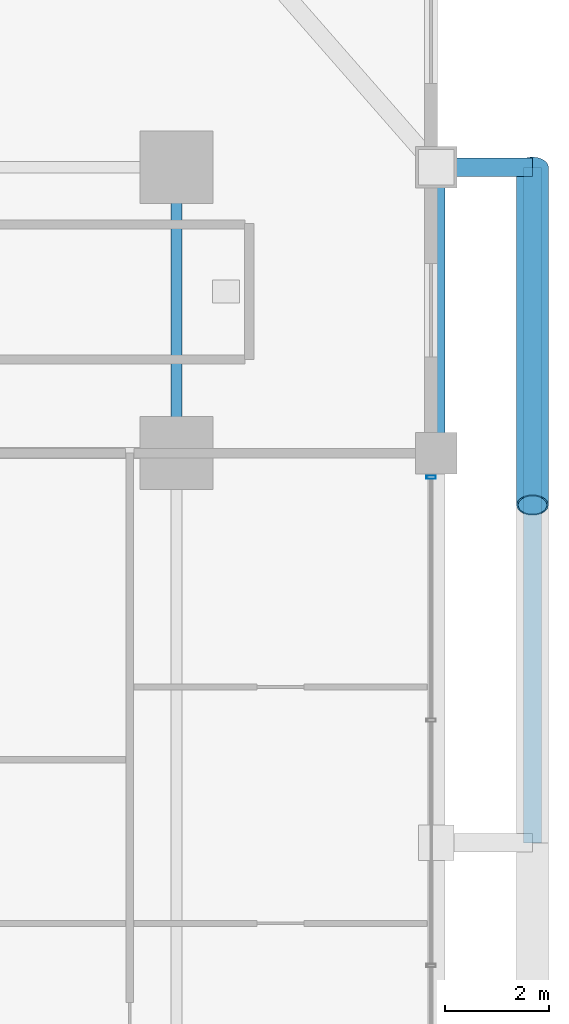
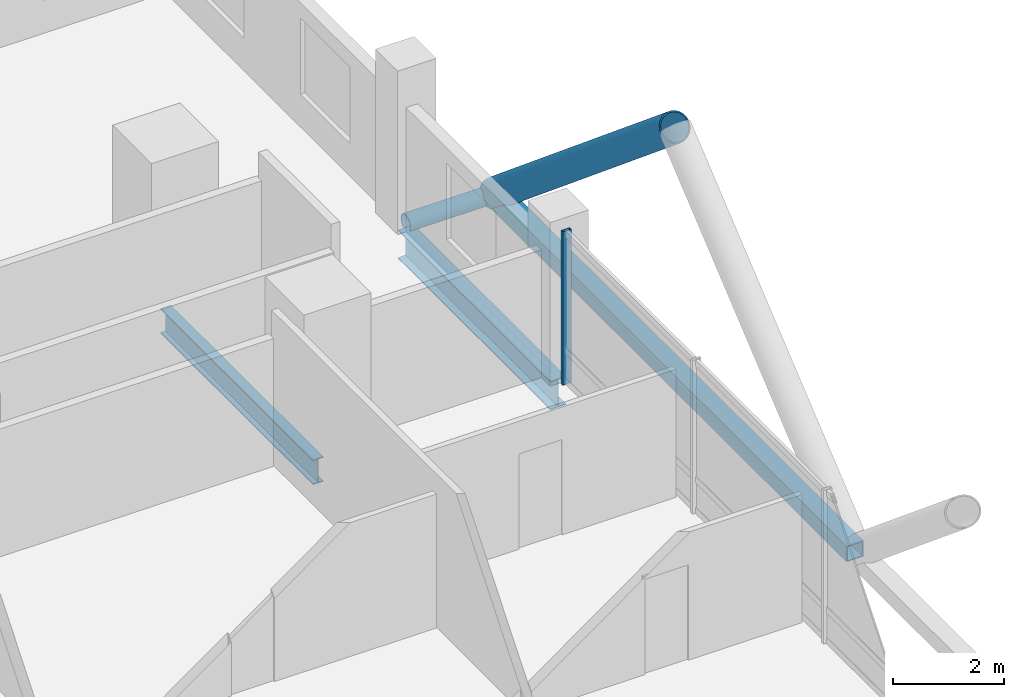
# One storey, part 19 of 27: 4 members, 2 beams, 1 element without a shape of its own.
"""IFC4 building model written with IfcOpenShell, lengths in metres."""

from ifc_helpers import new_model, si_unit, direction, frame, origin, origin_2d, place, context, subcontext, project, spatial, hollow_rectangle, hollow_circle, i_section, extrude, material, layer, layer_set, material_profile, profile_set, type_object, element, aggregate, save


model = new_model("IFC4")

# Units and contexts
model_context = context("Model", 3, precision=1e-05, world=origin(), true_north=direction((0.0, 1.0)))
body_context = subcontext(model_context, "Body", "Model", "MODEL_VIEW")
ifc_project = project(units=[si_unit("LENGTHUNIT", "METRE"), si_unit("AREAUNIT", "SQUARE_METRE"), si_unit("VOLUMEUNIT", "CUBIC_METRE"), si_unit("PLANEANGLEUNIT", "RADIAN"), si_unit("MASSUNIT", "GRAM", prefix="KILO")], contexts=[model_context])

# Site, building, storey
site_placement = place(None, origin())
site = spatial("IfcSite", under=ifc_project, at=site_placement, CompositionType="ELEMENT")
building_placement = place(site_placement, origin())
building = spatial("IfcBuilding", under=site, at=building_placement, Name="Barlavira Tower and Art Museum", CompositionType="ELEMENT")
storey_placement = place(building_placement, frame((0.0, 0.0, 50.39990234375)))
storey = spatial("IfcBuildingStorey", under=building, at=storey_placement, Name="L11", CompositionType="ELEMENT", Elevation=50.39990234375)

# Curtain wall, member
ifc_material_1 = material(Name="Low-iron coastal laminated glass", Category="glass")
ifc_layer = layer(ifc_material_1, 0.179931640625, Name="Low-iron coastal laminated glass")
ifc_layer_set = layer_set([ifc_layer], Name="Low-iron coastal laminated glass")
curtain_wall_type = type_object("IfcCurtainWallType", Name="Pale-Metal Unitised Curtain Wall Zone 1", PredefinedType="NOTDEFINED", material=ifc_layer_set)
curtain_wall_placement = place(storey_placement, origin())
curtain_wall = element("IfcCurtainWall", 1, at=curtain_wall_placement, inside=storey, type_object=curtain_wall_type, Name="L11 Curtain Wall CW1-L11-E-B3", PredefinedType="NOTDEFINED")
ifc_material_2 = material(Name="Pale anodised aluminium", Category="aluminium")
ifc_material_profile_1 = material_profile(ifc_material_2, hollow_rectangle(XDim=0.06494140625, YDim=0.179931640625, WallThickness=0.00390625, at=origin_2d()), Name="ALU-MULL 65x180x4")
ifc_profile_set_1 = profile_set([ifc_material_profile_1], Name="Pale anodised aluminium")
member_type_1 = type_object("IfcMemberType", Name="Curtain Wall Pale-Metal Mullion 65x180", PredefinedType="MULLION", material=ifc_profile_set_1)
member_1_placement = place(storey_placement, frame((21.89990234375, 7.034912109375, 0.0), z_axis=(0.0, 0.0, 1.0), x_axis=(0.0, 1.0, 0.0)))
member_1 = element("IfcMember", 2, at=member_1_placement, type_object=member_type_1, Name="CW1-L11-E-B3 Mullion 3", PredefinedType="MULLION", context=body_context, shape_type="SweptSolid", body=[
    extrude(hollow_rectangle(XDim=0.06494140625, YDim=0.179931640625, WallThickness=0.00390625, at=origin_2d()), origin(), (0.0, 0.0, 1.0), 3.380126953125),
])
aggregate(curtain_wall, [member_1])

# Members
ifc_material_3 = material(Name="Steel S355", Category="steel")
ifc_material_profile_2 = material_profile(ifc_material_3, hollow_circle(Radius=0.304931640625, WallThickness=0.028076171875, at=origin_2d()), Name="CHS 610.0x28.0")
ifc_profile_set_2 = profile_set([ifc_material_profile_2], Name="Steel S355")
member_type_2 = type_object("IfcMemberType", Name="Pale-Metal Exoskeleton Diagrid Tube CHS 610x28 Steel S355", PredefinedType="BRACE", material=ifc_profile_set_2)
member_2_placement = place(storey_placement, frame((23.85009765625, 13.0, -0.119873046875), z_axis=(0.0, -0.769196053329, 0.639012857104), x_axis=(1.0, 0.0, 0.0)))
element("IfcMember", 3, at=member_2_placement, inside=storey, type_object=member_type_2, Name="L11 Exoskeleton Diagrid Tube E", PredefinedType="BRACE", context=body_context, shape_type="SweptSolid", body=[
    extrude(hollow_circle(Radius=0.304931640625, WallThickness=0.028076171875, at=origin_2d()), origin(), (0.0, 0.0, 1.0), 8.450439453125),
])
ifc_material_profile_3 = material_profile(ifc_material_3, hollow_rectangle(XDim=0.35009765625, YDim=0.35009765625, WallThickness=0.02001953125, at=origin_2d()), Name="SHS 350x350x20.0")
ifc_profile_set_3 = profile_set([ifc_material_profile_3], Name="Steel S355")
member_type_3 = type_object("IfcMemberType", Name="Pale-Metal Exoskeleton Ring Strut SHS 350x350x20 Steel S355", PredefinedType="STRUT", material=ifc_profile_set_3)
member_3_placement = place(storey_placement, frame((23.85009765625, 0.0, -0.119873046875), z_axis=(0.0, 1.0, 0.0), x_axis=(-1.0, 0.0, 0.0)))
element("IfcMember", 4, at=member_3_placement, inside=storey, type_object=member_type_3, Name="L11 Exoskeleton Ring Strut E", PredefinedType="STRUT", context=body_context, shape_type="SweptSolid", body=[
    extrude(hollow_rectangle(XDim=0.35009765625, YDim=0.35009765625, WallThickness=0.02001953125, at=origin_2d()), origin(), (0.0, 0.0, 1.0), 13.0),
])
ifc_material_profile_4 = material_profile(ifc_material_3, hollow_circle(Radius=0.177734375, WallThickness=0.01611328125, at=origin_2d()), Name="CHS 355.6x16.0")
ifc_profile_set_4 = profile_set([ifc_material_profile_4], Name="Steel S355")
member_type_4 = type_object("IfcMemberType", Name="Pale-Metal Exoskeleton Tie Strut CHS 356x16 Steel S355", PredefinedType="STRUT", material=ifc_profile_set_4)
member_4_placement = place(storey_placement, frame((23.85009765625, 13.0, -0.119873046875), z_axis=(-1.0, 0.0, 0.0), x_axis=(0.0, -1.0, 0.0)))
element("IfcMember", 5, at=member_4_placement, inside=storey, type_object=member_type_4, Name="L11 Exoskeleton Tie Strut E3", PredefinedType="STRUT", context=body_context, shape_type="SweptSolid", body=[
    extrude(hollow_circle(Radius=0.177734375, WallThickness=0.01611328125, at=origin_2d()), origin(), (0.0, 0.0, 1.0), 1.85009765625),
])

# Beams
ifc_material_profile_5 = material_profile(ifc_material_3, i_section(OverallWidth=0.327880859375, OverallDepth=0.62890625, WebThickness=0.013916015625, FlangeThickness=0.021484375, at=origin_2d()), Name="W610x174.0")
ifc_profile_set_5 = profile_set([ifc_material_profile_5], Name="Steel S355")
beam_type_1 = type_object("IfcBeamType", Name="Perimeter Spandrel Edge Beam W610x174 Steel S355", PredefinedType="SPANDREL", material=ifc_profile_set_5)
beam_1_placement = place(storey_placement, frame((22.0, 7.5, -0.534423828125), z_axis=(0.0, 1.0, 0.0), x_axis=(-1.0, 0.0, 0.0)))
element("IfcBeam", 6, at=beam_1_placement, inside=storey, type_object=beam_type_1, Name="L11 Spandrel 7", PredefinedType="SPANDREL", context=body_context, shape_type="SweptSolid", body=[
    extrude(i_section(OverallWidth=0.327880859375, OverallDepth=0.62890625, WebThickness=0.013916015625, FlangeThickness=0.021484375, at=origin_2d()), origin(), (0.0, 0.0, 1.0), 5.5),
])
ifc_material_profile_6 = material_profile(ifc_material_3, i_section(OverallWidth=0.214111328125, OverallDepth=0.549072265625, WebThickness=0.0146484375, FlangeThickness=0.023681640625, at=origin_2d()), Name="W530x138.0")
ifc_profile_set_6 = profile_set([ifc_material_profile_6], Name="Steel S355")
beam_type_2 = type_object("IfcBeamType", Name="Zone 1 Primary Floor Girder W530x138 Steel S355", PredefinedType="BEAM", material=ifc_profile_set_6)
beam_2_placement = place(storey_placement, frame((17.0, 7.5, -0.494384765625), z_axis=(0.0, 1.0, 0.0), x_axis=(-1.0, 0.0, 0.0)))
element("IfcBeam", 7, at=beam_2_placement, inside=storey, type_object=beam_type_2, Name="L11 Girder M-E3", PredefinedType="BEAM", context=body_context, shape_type="SweptSolid", body=[
    extrude(i_section(OverallWidth=0.214111328125, OverallDepth=0.549072265625, WebThickness=0.0146484375, FlangeThickness=0.023681640625, at=origin_2d()), origin(), (0.0, 0.0, 1.0), 5.5),
])

save(model, "model.ifc")
